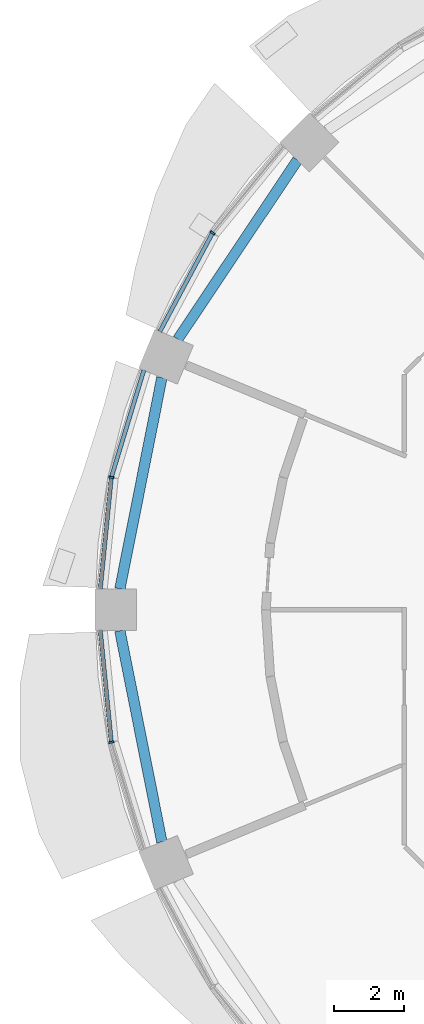
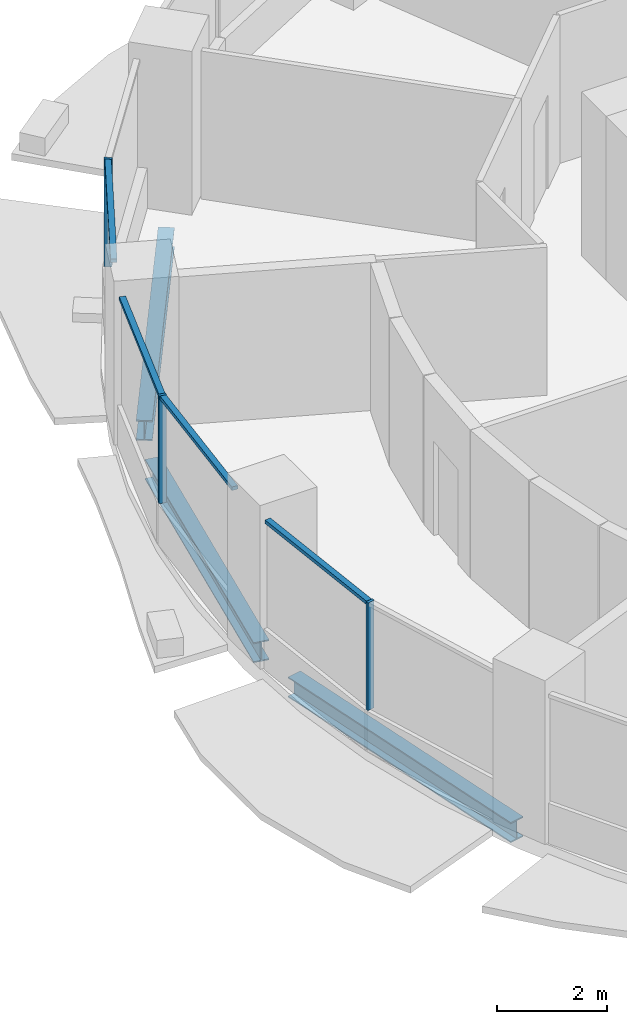
# One storey, part 4 of 15: 7 members, 3 beams, 3 elements without a shape of their own.
"""IFC4 building model written with IfcOpenShell, lengths in metres."""

from ifc_helpers import new_model, si_unit, direction, frame, origin, origin_2d, place, context, subcontext, project, spatial, rectangle, i_section, extrude, material, material_profile, profile_set, type_object, element, aggregate, save


model = new_model("IFC4")

# Units and contexts
model_context = context("Model", 3, precision=1e-05, world=origin(), true_north=direction((0.0, 1.0)))
body_context = subcontext(model_context, "Body", "Model", "MODEL_VIEW")
ifc_project = project(units=[si_unit("LENGTHUNIT", "METRE"), si_unit("AREAUNIT", "SQUARE_METRE"), si_unit("VOLUMEUNIT", "CUBIC_METRE"), si_unit("PLANEANGLEUNIT", "RADIAN"), si_unit("MASSUNIT", "GRAM", prefix="KILO")], contexts=[model_context])

# Site, building, storey
site_placement = place(None, origin())
site = spatial("IfcSite", under=ifc_project, at=site_placement, CompositionType="ELEMENT")
building_placement = place(site_placement, origin())
building = spatial("IfcBuilding", under=site, at=building_placement, Name="Polderwave Tower", CompositionType="ELEMENT")
storey_placement = place(building_placement, frame((0.0, 0.0, 62.699951171875)))
storey = spatial("IfcBuildingStorey", under=building, at=storey_placement, Name="L16", CompositionType="ELEMENT", Elevation=62.699951171875)

# Curtain wall, member
ifc_material_1 = material(Name="Aluminium 6063-T6 and glass", Category="aluminium")
curtain_wall_type = type_object("IfcCurtainWallType", Name="Growing floor ribbon glazing wall", PredefinedType="NOTDEFINED", material=ifc_material_1)
curtain_wall_1_placement = place(storey_placement, origin())
curtain_wall_1 = element("IfcCurtainWall", 1, at=curtain_wall_1_placement, inside=storey, type_object=curtain_wall_type, Name="CW2 L16 06", PredefinedType="NOTDEFINED")
ifc_material_2 = material(Name="Aluminium 6063-T6", Category="aluminium")
ifc_material_profile_1 = material_profile(ifc_material_2, rectangle(XDim=0.14990234375, YDim=0.06005859375, at=origin_2d()), Name="AL 60x150")
ifc_profile_set_1 = profile_set([ifc_material_profile_1], Name="Aluminium 6063-T6")
member_type_1 = type_object("IfcMemberType", Name="Growing floor ribbon glazing mullion 60x150", PredefinedType="MULLION", material=ifc_profile_set_1)
member_1_placement = place(storey_placement, frame((-16.1640625, 10.800048828125, 0.900146484375), z_axis=(0.0, 0.0, 1.0), x_axis=(0.831498700752, -0.555526696611, 0.0)))
member_1 = element("IfcMember", 2, at=member_1_placement, type_object=member_type_1, Name="CW2 mullion 1", PredefinedType="MULLION", context=body_context, shape_type="SweptSolid", body=[
    extrude(rectangle(XDim=0.14990234375, YDim=0.06005859375, at=origin_2d()), origin(), (0.0, 0.0, 1.0), 2.39990234375),
])

curtain_wall_2_placement = place(storey_placement, origin())
curtain_wall_2 = element("IfcCurtainWall", 3, at=curtain_wall_2_placement, inside=storey, type_object=curtain_wall_type, Name="CW2 L16 07", PredefinedType="NOTDEFINED")
member_2_placement = place(storey_placement, frame((-19.06591796875, 3.79296875, 0.900146484375), z_axis=(0.0, 0.0, 1.0), x_axis=(0.980768933113, -0.195172487407, 0.0)))
member_2 = element("IfcMember", 4, at=member_2_placement, type_object=member_type_1, Name="CW2 mullion 1", PredefinedType="MULLION", context=body_context, shape_type="SweptSolid", body=[
    extrude(rectangle(XDim=0.14990234375, YDim=0.06005859375, at=origin_2d()), origin(), (0.0, 0.0, 1.0), 2.39990234375),
])

curtain_wall_3_placement = place(storey_placement, origin())
curtain_wall_3 = element("IfcCurtainWall", 5, at=curtain_wall_3_placement, inside=storey, type_object=curtain_wall_type, Name="CW2 L16 08", PredefinedType="NOTDEFINED")
member_3_placement = place(storey_placement, frame((-19.06591796875, -3.79296875, 0.900146484375), z_axis=(0.0, 0.0, 1.0), x_axis=(0.980768933113, 0.195172487407, 0.0)))
member_3 = element("IfcMember", 6, at=member_3_placement, type_object=member_type_1, Name="CW2 mullion 1", PredefinedType="MULLION", context=body_context, shape_type="SweptSolid", body=[
    extrude(rectangle(XDim=0.14990234375, YDim=0.06005859375, at=origin_2d()), origin(), (0.0, 0.0, 1.0), 2.39990234375),
])

# Member
ifc_material_profile_2 = material_profile(ifc_material_2, rectangle(XDim=0.1201171875, YDim=0.080078125, at=origin_2d()), Name="AL 80x120")
ifc_profile_set_2 = profile_set([ifc_material_profile_2], Name="Aluminium 6063-T6")
member_type_2 = type_object("IfcMemberType", Name="Growing floor ribbon glazing transom 80x120", PredefinedType="USERDEFINED", material=ifc_profile_set_2)
member_4_placement = place(storey_placement, frame((-16.177978515625, 10.7734375, 3.260009765625), z_axis=(-0.471417452258, -0.881910191406, 0.0), x_axis=(0.881910191406, -0.471417452258, 0.0)))
member_4 = element("IfcMember", 7, at=member_4_placement, type_object=member_type_2, Name="CW2 transom 2", ObjectType="TRANSOM", PredefinedType="USERDEFINED", context=body_context, shape_type="SweptSolid", body=[
    extrude(rectangle(XDim=0.1201171875, YDim=0.080078125, at=origin_2d()), origin(), (0.0, 0.0, 1.0), 3.177734375),
])

aggregate(curtain_wall_1, [member_1, member_4])

member_5_placement = place(storey_placement, frame((-18.135009765625, 6.862060546875, 3.260009765625), z_axis=(-0.290314495574, -0.956931289937, 0.0), x_axis=(0.956931289937, -0.290314495574, 0.0)))
member_5 = element("IfcMember", 8, at=member_5_placement, type_object=member_type_2, Name="CW2 transom 1", ObjectType="TRANSOM", PredefinedType="USERDEFINED", context=body_context, shape_type="SweptSolid", body=[
    extrude(rectangle(XDim=0.1201171875, YDim=0.080078125, at=origin_2d()), origin(), (0.0, 0.0, 1.0), 3.177001953125),
])

member_6_placement = place(storey_placement, frame((-19.06884765625, 3.76318359375, 3.260009765625), z_axis=(-0.098241201585, -0.995162633096, 0.0), x_axis=(0.995162633096, -0.098241201585, 0.0)))
member_6 = element("IfcMember", 9, at=member_6_placement, type_object=member_type_2, Name="CW2 transom 2", ObjectType="TRANSOM", PredefinedType="USERDEFINED", context=body_context, shape_type="SweptSolid", body=[
    extrude(rectangle(XDim=0.1201171875, YDim=0.080078125, at=origin_2d()), origin(), (0.0, 0.0, 1.0), 3.178466796875),
])

aggregate(curtain_wall_2, [member_2, member_5, member_6])

member_7_placement = place(storey_placement, frame((-19.381103515625, -0.60009765625, 3.260009765625), z_axis=(0.098241201585, -0.995162633096, 0.0), x_axis=(0.995162633096, 0.098241201585, 0.0)))
member_7 = element("IfcMember", 10, at=member_7_placement, type_object=member_type_2, Name="CW2 transom 1", ObjectType="TRANSOM", PredefinedType="USERDEFINED", context=body_context, shape_type="SweptSolid", body=[
    extrude(rectangle(XDim=0.1201171875, YDim=0.080078125, at=origin_2d()), origin(), (0.0, 0.0, 1.0), 3.178466796875),
])

aggregate(curtain_wall_3, [member_3, member_7])

# Beams
ifc_material_3 = material(Name="Steel S355", Category="steel")
ifc_material_profile_3 = material_profile(ifc_material_3, i_section(OverallWidth=0.300048828125, OverallDepth=0.449951171875, WebThickness=0.013916015625, FlangeThickness=0.02587890625, at=origin_2d()), Name="HE 450 B")
ifc_profile_set_3 = profile_set([ifc_material_profile_3], Name="Steel S355")
beam_type = type_object("IfcBeamType", Name="RING BEAM HE 450 B", PredefinedType="BEAM", material=ifc_profile_set_3)
beam_placement = place(storey_placement, frame((-13.732421875, 12.884033203125, -0.574951171875), z_axis=(-0.555567831177, -0.831471217158, 0.0), x_axis=(0.831471217158, -0.555567831177, 0.0)))
element("IfcBeam", 11, at=beam_placement, inside=storey, type_object=beam_type, Name="ST-RB-L16-06", PredefinedType="BEAM", context=body_context, shape_type="SweptSolid", body=[
    extrude(i_section(OverallWidth=0.300048828125, OverallDepth=0.449951171875, WebThickness=0.013916015625, FlangeThickness=0.02587890625, at=origin_2d()), origin(), (0.0, 0.0, 1.0), 6.166748046875),
])
for number, where, z_axis, x_axis, name in (
    (12, (-17.61767578125, 6.64794921875, -0.574951171875), (-0.195072910533, -0.980788743602, 0.0), (0.980788743602, -0.195072910533, 0.0), "ST-RB-L16-07"),
    (13, (-18.820556640625, -0.60009765625, -0.574951171875), (0.195072910533, -0.980788743602, 0.0), (0.980788743602, 0.195072910533, 0.0), "ST-RB-L16-08"),
):
    element("IfcBeam", number, at=place(storey_placement, frame(where, z_axis=z_axis, x_axis=x_axis)), inside=storey, type_object=beam_type, Name=name, PredefinedType="BEAM", context=body_context, shape_type="SweptSolid", body=[
        extrude(i_section(OverallWidth=0.300048828125, OverallDepth=0.449951171875, WebThickness=0.013916015625, FlangeThickness=0.02587890625, at=origin_2d()), origin(), (0.0, 0.0, 1.0), 6.166259765625),
    ])

save(model, "model.ifc")
